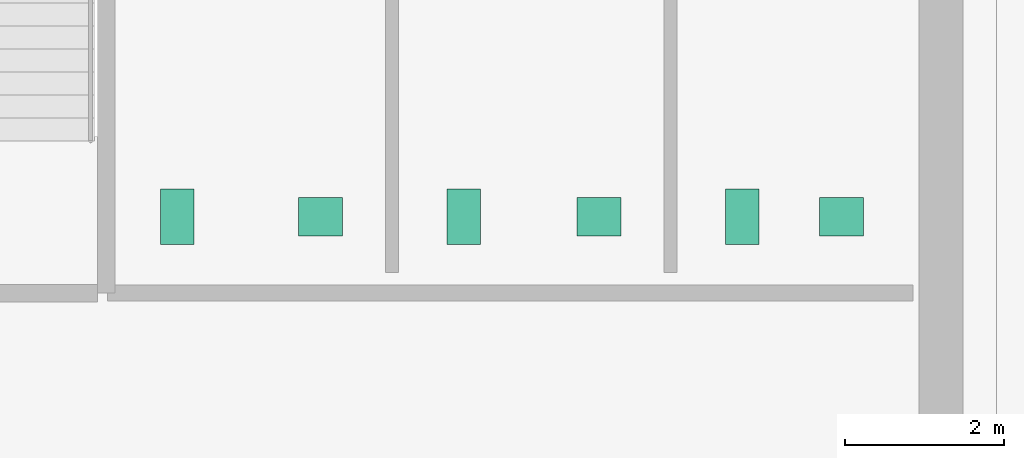
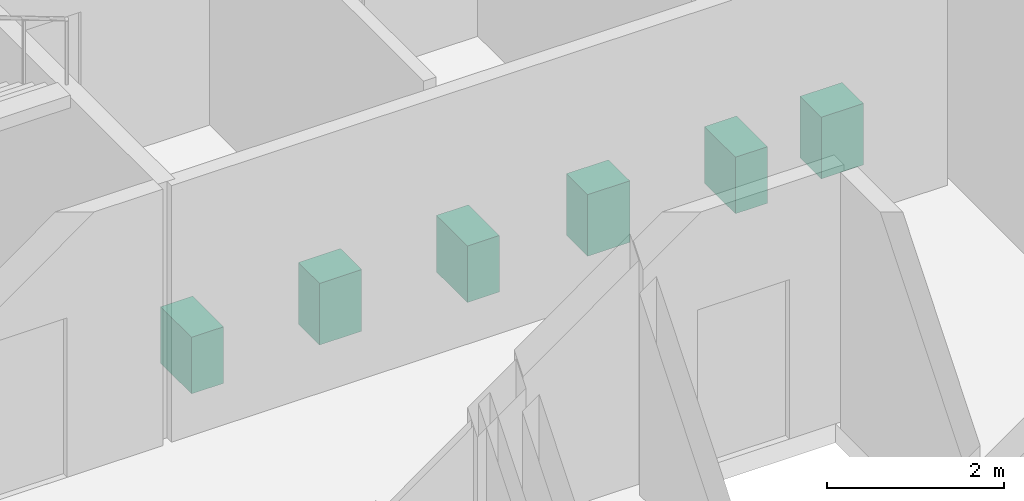
# One storey, part 10 of 10: 6 sanitary terminals.
"""IFC4 building model written with IfcOpenShell, lengths in metres."""

from ifc_helpers import new_model, si_unit, direction, frame, origin, origin_2d, place, context, subcontext, project, spatial, rectangle, extrude, material, type_object, element, save


model = new_model("IFC4")

# Units and contexts
model_context = context("Model", 3, precision=1e-05, world=origin(), true_north=direction((0.0, 1.0)))
body_context = subcontext(model_context, "Body", "Model", "MODEL_VIEW")
ifc_project = project(units=[si_unit("LENGTHUNIT", "METRE"), si_unit("AREAUNIT", "SQUARE_METRE"), si_unit("VOLUMEUNIT", "CUBIC_METRE"), si_unit("PLANEANGLEUNIT", "RADIAN"), si_unit("MASSUNIT", "GRAM", prefix="KILO")], contexts=[model_context])

# Site, building, storey
site_placement = place(None, origin())
site = spatial("IfcSite", under=ifc_project, at=site_placement, CompositionType="ELEMENT")
building_placement = place(site_placement, origin())
building = spatial("IfcBuilding", under=site, at=building_placement, Name="Norrvale University Quadrangle", CompositionType="ELEMENT")
storey_placement = place(building_placement, frame((0.0, 0.0, 233.199951171875)))
storey = spatial("IfcBuildingStorey", under=building, at=storey_placement, Name="L59", CompositionType="ELEMENT", Elevation=233.199951171875)

# Sanitary terminals
ifc_material = material(Name="Vitreous China Sanitaryware")
sanitary_terminal_type_1 = type_object("IfcSanitaryTerminalType", Name="Sanitary Wash Basin", PredefinedType="WASHHANDBASIN", material=ifc_material)
for number, where, z_axis, x_axis, name in (
    (1, (9.0, 41.10009765625, 0.0), (0.0, 0.0, 1.0), (1.0, 0.0, 0.0), "Accessible Countertop Washbasin L59-1"),
    (2, (12.5, 41.10009765625, 0.0), (0.0, 0.0, 1.0), (1.0, 0.0, 0.0), "Accessible Countertop Washbasin L59-2"),
    (3, (15.550048828125, 41.10009765625, 0.0), (0.0, 0.0, 1.0), (1.0, 0.0, 0.0), "Accessible Countertop Washbasin L59-3"),
):
    element("IfcSanitaryTerminal", number, at=place(storey_placement, frame(where, z_axis=z_axis, x_axis=x_axis)), inside=storey, type_object=sanitary_terminal_type_1, Name=name, PredefinedType="WASHHANDBASIN", context=body_context, shape_type="SweptSolid", body=[
        extrude(rectangle(XDim=0.550048828125, YDim=0.47998046875, at=origin_2d()), origin(), (0.0, 0.0, 1.0), 0.85009765625),
    ])
sanitary_terminal_type_2 = type_object("IfcSanitaryTerminalType", Name="Sanitary Water Closet", PredefinedType="TOILETPAN", material=ifc_material)
for number, where, z_axis, x_axis, name in (
    (4, (7.199951171875, 41.10009765625, 0.0), (0.0, 0.0, 1.0), (1.0, 0.0, 0.0), "Wall-Hung Water Closet L59-1"),
    (5, (10.800048828125, 41.10009765625, 0.0), (0.0, 0.0, 1.0), (1.0, 0.0, 0.0), "Wall-Hung Water Closet L59-2"),
    (6, (14.300048828125, 41.10009765625, 0.0), (0.0, 0.0, 1.0), (1.0, 0.0, 0.0), "Wall-Hung Water Closet L59-3"),
):
    element("IfcSanitaryTerminal", number, at=place(storey_placement, frame(where, z_axis=z_axis, x_axis=x_axis)), inside=storey, type_object=sanitary_terminal_type_2, Name=name, PredefinedType="TOILETPAN", context=body_context, shape_type="SweptSolid", body=[
        extrude(rectangle(XDim=0.419921875, YDim=0.699951171875, at=origin_2d()), origin(), (0.0, 0.0, 1.0), 0.780029296875),
    ])

save(model, "model.ifc")
